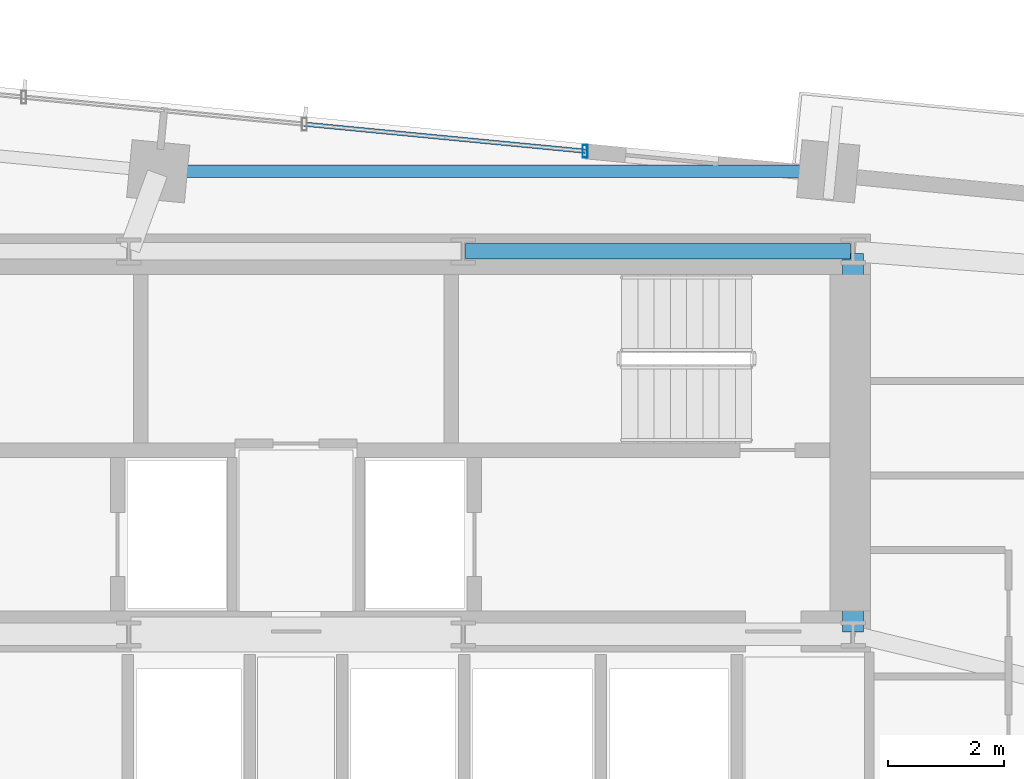
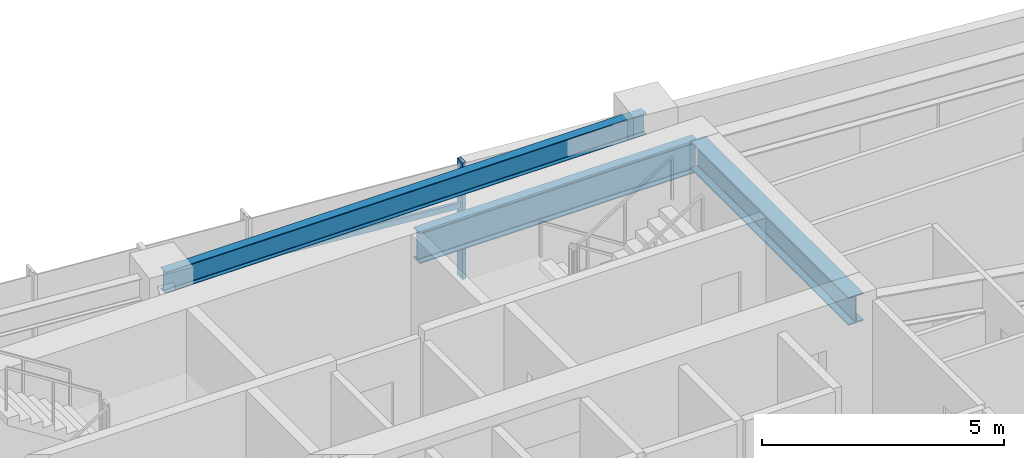
# One storey, part 12 of 20: 3 beams, 2 members, 1 element without a shape of its own.
"""IFC4 building model written with IfcOpenShell, lengths in metres."""

from ifc_helpers import new_model, si_unit, direction, frame, origin, origin_2d, place, context, subcontext, project, spatial, hollow_rectangle, i_section, extrude, source, transform, mapped, material, material_profile, profile_set, type_object, type_shapes, element, aggregate, save


model = new_model("IFC4")

# Units and contexts
model_context = context("Model", 3, precision=1e-05, world=origin(), true_north=direction((0.0, 1.0)))
body_context = subcontext(model_context, "Body", "Model", "MODEL_VIEW")
ifc_project = project(units=[si_unit("LENGTHUNIT", "METRE"), si_unit("AREAUNIT", "SQUARE_METRE"), si_unit("VOLUMEUNIT", "CUBIC_METRE"), si_unit("PLANEANGLEUNIT", "RADIAN"), si_unit("MASSUNIT", "GRAM", prefix="KILO")], contexts=[model_context])

# Site, building, storey
site_placement = place(None, origin())
site = spatial("IfcSite", under=ifc_project, at=site_placement, CompositionType="ELEMENT")
building_placement = place(site_placement, origin())
building = spatial("IfcBuilding", under=site, at=building_placement, Name="Astriad Promenade Condominiums", CompositionType="ELEMENT")
storey_placement = place(building_placement, frame((0.0, 0.0, 134.199951171875)))
storey = spatial("IfcBuildingStorey", under=building, at=storey_placement, Name="L38", CompositionType="ELEMENT", Elevation=134.199951171875)

# Beams
ifc_material_1 = material(Name="Steel ASTM A992 Grade 50", Category="steel")
ifc_material_profile_1 = material_profile(ifc_material_1, i_section(OverallWidth=0.267822265625, OverallDepth=0.76953125, WebThickness=0.015625, FlangeThickness=0.025390625, FilletRadius=0.021484375, at=origin_2d()), Name="W30X132")
ifc_profile_set_1 = profile_set([ifc_material_profile_1], Name="Steel ASTM A992 Grade 50")
beam_type_1 = type_object("IfcBeamType", Name="STEEL FLOOR GIRDER W30X132", PredefinedType="BEAM", material=ifc_profile_set_1)
shared_shape_1 = source(origin(), body_context, "Body", "SweptSolid", [
    extrude(i_section(OverallWidth=0.267822265625, OverallDepth=0.76953125, WebThickness=0.015625, FlangeThickness=0.025390625, FilletRadius=0.021484375, at=origin_2d()), origin(), (0.0, 0.0, 1.0), 6.64013671875),
])
type_shapes(beam_type_1, [shared_shape_1])
beam_1_placement = place(storey_placement, frame((38.919921875, 24.0, 2.55517578125), z_axis=(1.0, 0.0, 0.0), x_axis=(0.0, 1.0, 0.0)))
element("IfcBeam", 1, at=beam_1_placement, inside=storey, type_object=beam_type_1, Name="Core Ring Beam CG-N3-L38", PredefinedType="BEAM", context=body_context, shape_type="MappedRepresentation", body=[
    mapped(shared_shape_1, transform((0.0, 0.0, 0.0), scale=1.0)),
])
ifc_material_profile_2 = material_profile(ifc_material_1, i_section(OverallWidth=0.35791015625, OverallDepth=0.706298828125, WebThickness=0.018310546875, FlangeThickness=0.0302734375, FilletRadius=0.020263671875, at=origin_2d()), Name="W27X178")
ifc_profile_set_2 = profile_set([ifc_material_profile_2], Name="Steel ASTM A992 Grade 50")
beam_type_2 = type_object("IfcBeamType", Name="STEEL FLOOR GIRDER W27X178", PredefinedType="BEAM", material=ifc_profile_set_2)
shared_shape_2 = source(origin(), body_context, "Body", "SweptSolid", [
    extrude(i_section(OverallWidth=0.35791015625, OverallDepth=0.706298828125, WebThickness=0.018310546875, FlangeThickness=0.0302734375, FilletRadius=0.020263671875, at=origin_2d()), origin(), (0.0, 0.0, 1.0), 6.52001953125),
])
type_shapes(beam_type_2, [shared_shape_2])
beam_2_placement = place(storey_placement, frame((45.60009765625, 17.43994140625, 2.5869140625), z_axis=(0.0, 1.0, 0.0), x_axis=(-1.0, 0.0, 0.0)))
element("IfcBeam", 2, at=beam_2_placement, inside=storey, type_object=beam_type_2, Name="Core Ring Beam CG-E1-L38", PredefinedType="BEAM", context=body_context, shape_type="MappedRepresentation", body=[
    mapped(shared_shape_2, transform((0.0, 0.0, 0.0), scale=1.0)),
])
ifc_material_profile_3 = material_profile(ifc_material_1, i_section(OverallWidth=0.210693359375, OverallDepth=0.53955078125, WebThickness=0.01171875, FlangeThickness=0.018798828125, FilletRadius=0.0166015625, at=origin_2d()), Name="W21X73")
ifc_profile_set_3 = profile_set([ifc_material_profile_3], Name="Steel ASTM A992 Grade 50")
beam_type_3 = type_object("IfcBeamType", Name="STEEL SPANDREL BEAM W21X73", PredefinedType="SPANDREL", material=ifc_profile_set_3)
shared_shape_3 = source(origin(), body_context, "Body", "SweptSolid", [
    extrude(i_section(OverallWidth=0.210693359375, OverallDepth=0.53955078125, WebThickness=0.01171875, FlangeThickness=0.018798828125, FilletRadius=0.0166015625, at=origin_2d()), origin(), (0.0, 0.0, 1.0), 11.466552734375),
])
type_shapes(beam_type_3, [shared_shape_3])
beam_3_placement = place(storey_placement, frame((45.1328125, 25.3798828125, 2.670166015625), z_axis=(-0.999999999093, 4.258309e-05, 0.0), x_axis=(-4.258309e-05, -0.999999999093, 0.0)))
element("IfcBeam", 3, at=beam_3_placement, inside=storey, type_object=beam_type_3, Name="Perimeter Spandrel Beam SP-N3-L38", PredefinedType="SPANDREL", context=body_context, shape_type="MappedRepresentation", body=[
    mapped(shared_shape_3, transform((0.0, 0.0, 0.0), scale=1.0)),
])

# Curtain wall, members
ifc_material_2 = material(Name="Anodised aluminium Black Dark Glass Unitised", Category="aluminium")
curtain_wall_type = type_object("IfcCurtainWallType", Name="CW-B34-DARK", PredefinedType="USERDEFINED", material=ifc_material_2)
curtain_wall_placement = place(storey_placement, origin())
curtain_wall = element("IfcCurtainWall", 4, at=curtain_wall_placement, inside=storey, type_object=curtain_wall_type, Name="CW-L38-N", ObjectType="UNITISED_CURTAIN_WALL", PredefinedType="USERDEFINED")
ifc_material_3 = material(Name="Anodised aluminium 6063-T6 Black", Category="aluminium")
ifc_material_profile_4 = material_profile(ifc_material_3, hollow_rectangle(XDim=0.0849609375, YDim=0.219970703125, WallThickness=0.0048828125, at=origin_2d()), Name="ALU-MUL-85X220")
ifc_profile_set_4 = profile_set([ifc_material_profile_4], Name="Anodised aluminium 6063-T6 Black")
member_type_1 = type_object("IfcMemberType", Name="MUL-ALU-MUL-85X220", PredefinedType="MULLION", material=ifc_profile_set_4)
shared_shape_4 = source(origin(), body_context, "Body", "SweptSolid", [
    extrude(hollow_rectangle(XDim=0.0849609375, YDim=0.219970703125, WallThickness=0.0048828125, at=origin_2d()), origin(), (0.0, 0.0, 1.0), 2.93994140625),
])
type_shapes(member_type_1, [shared_shape_4])
member_1_placement = place(storey_placement, frame((40.9833984375, 25.726806640625, 0.0), z_axis=(0.0, 0.0, 1.0), x_axis=(1.0, 0.0, 0.0)))
member_1 = element("IfcMember", 5, at=member_1_placement, type_object=member_type_1, Name="CW-L38-N-MUL-03", PredefinedType="MULLION", context=body_context, shape_type="MappedRepresentation", body=[
    mapped(shared_shape_4, transform((0.0, 0.0, 0.0), scale=1.0)),
])
ifc_material_profile_5 = material_profile(ifc_material_3, hollow_rectangle(XDim=0.074951171875, YDim=0.14990234375, WallThickness=0.004150390625, at=origin_2d()), Name="ALU-TRN-75X150")
ifc_profile_set_5 = profile_set([ifc_material_profile_5], Name="Anodised aluminium 6063-T6 Black")
member_type_2 = type_object("IfcMemberType", Name="TRN-ALU-TRN-75X150", PredefinedType="USERDEFINED", material=ifc_profile_set_5)
shared_shape_5 = source(origin(), body_context, "Body", "SweptSolid", [
    extrude(hollow_rectangle(XDim=0.074951171875, YDim=0.14990234375, WallThickness=0.004150390625, at=origin_2d()), origin(), (0.0, 0.0, 1.0), 4.860107421875),
])
type_shapes(member_type_2, [shared_shape_5])
member_2_placement = place(storey_placement, frame((36.145751953125, 26.1923828125, 1.82275390625), z_axis=(0.995400834012, -0.095797597298, 0.0), x_axis=(0.095797597298, 0.995400834012, 0.0)))
member_2 = element("IfcMember", 6, at=member_2_placement, type_object=member_type_2, Name="CW-L38-N-TRN-02-0", ObjectType="TRANSOM", PredefinedType="USERDEFINED", context=body_context, shape_type="MappedRepresentation", body=[
    mapped(shared_shape_5, transform((0.0, 0.0, 0.0), scale=1.0)),
])
aggregate(curtain_wall, [member_1, member_2])

save(model, "model.ifc")
